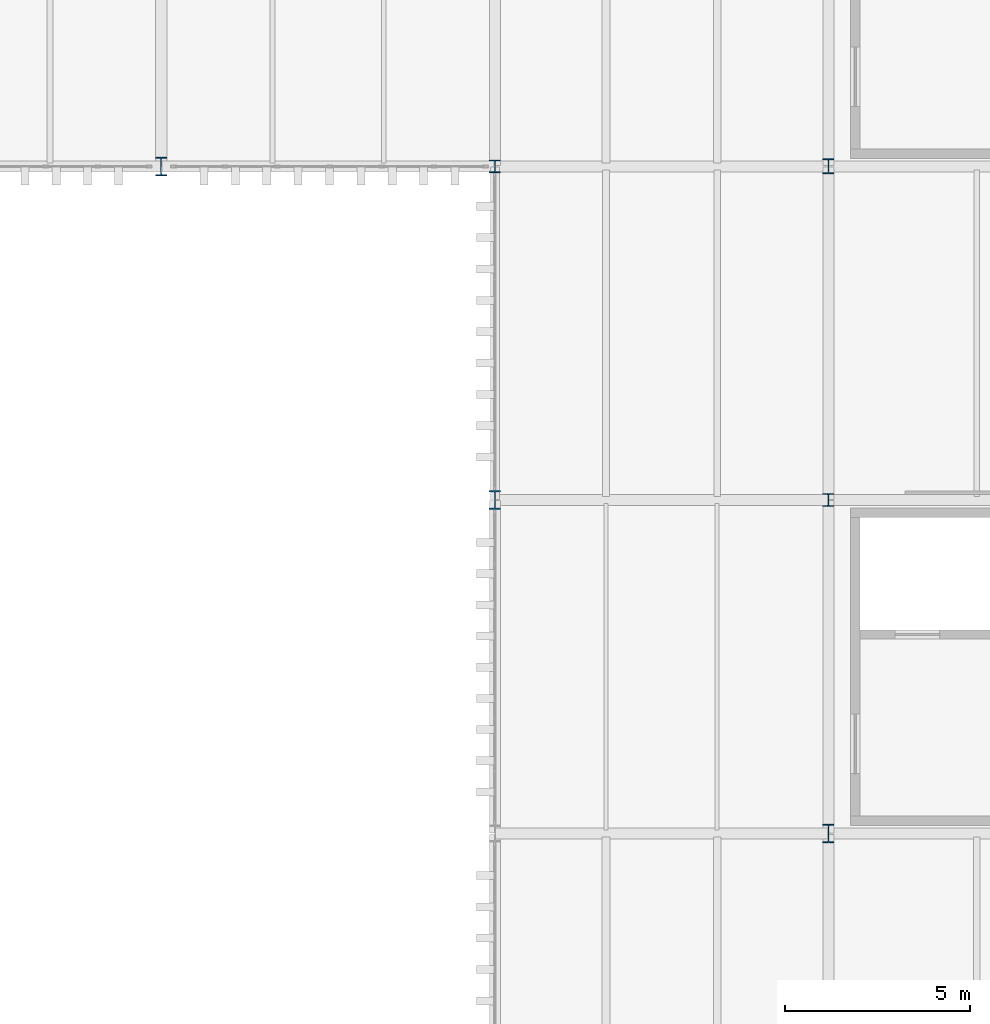
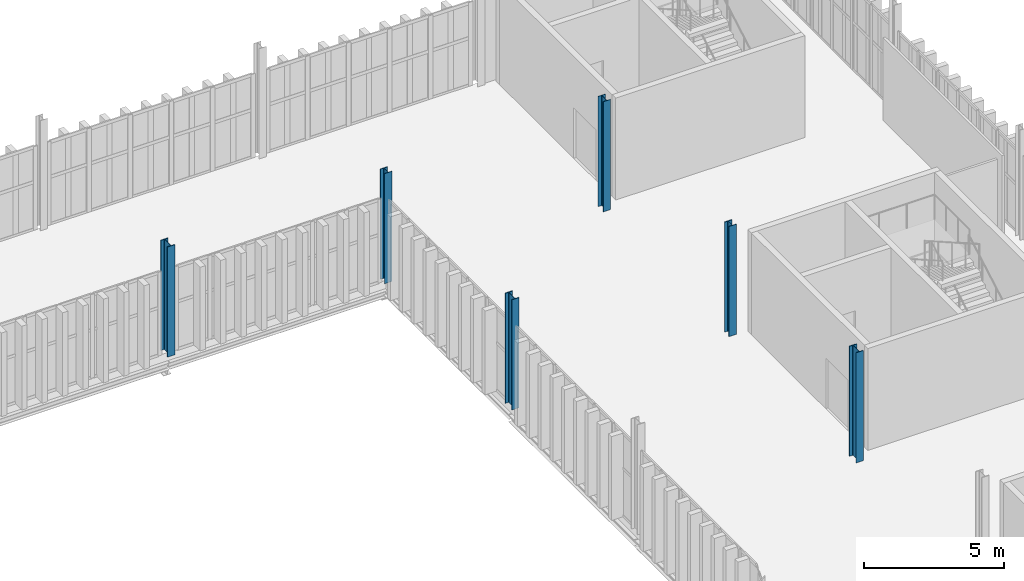
# One storey, part 14 of 196: 6 columns.
"""IFC4 building model written with IfcOpenShell, lengths in metres."""

from ifc_helpers import new_model, si_unit, direction, frame, origin, origin_2d, place, context, subcontext, project, spatial, i_section, extrude, material, material_profile, profile_set, type_object, element, save


model = new_model("IFC4")

# Units and contexts
model_context = context("Model", 3, precision=1e-05, world=origin(), true_north=direction((0.0, 1.0)))
body_context = subcontext(model_context, "Body", "Model", "MODEL_VIEW")
ifc_project = project(units=[si_unit("LENGTHUNIT", "METRE"), si_unit("AREAUNIT", "SQUARE_METRE"), si_unit("VOLUMEUNIT", "CUBIC_METRE"), si_unit("PLANEANGLEUNIT", "RADIAN"), si_unit("MASSUNIT", "GRAM", prefix="KILO")], contexts=[model_context])

# Site, building, storey
site_placement = place(None, origin())
site = spatial("IfcSite", under=ifc_project, at=site_placement, CompositionType="ELEMENT")
building_placement = place(site_placement, origin())
building = spatial("IfcBuilding", under=site, at=building_placement, Name="Barlavento Convention Centre", CompositionType="ELEMENT")
storey_placement = place(building_placement, frame((0.0, 0.0, 18.0)))
storey = spatial("IfcBuildingStorey", under=building, at=storey_placement, Name="L03", CompositionType="ELEMENT", Elevation=18.0)

# Columns
ifc_material = material(Name="Steel S355", Category="steel")
ifc_material_profile_1 = material_profile(ifc_material, i_section(OverallWidth=0.300048828125, OverallDepth=0.340087890625, WebThickness=0.011962890625, FlangeThickness=0.021484375, FilletRadius=0.027099609375, at=origin_2d()), Name="HEB 340")
ifc_profile_set_1 = profile_set([ifc_material_profile_1], Name="Steel S355")
column_type_1 = type_object("IfcColumnType", Name="STR-COL-HEB340", PredefinedType="COLUMN", material=ifc_profile_set_1)
for number, where, z_axis, x_axis, name in (
    (1, (171.0, 90.0, 0.0), (0.0, 0.0, 1.0), (1.0, 0.0, 0.0), "L03 column SC12"),
    (2, (180.0, 81.0, 0.0), (0.0, 0.0, 1.0), (1.0, 0.0, 0.0), "L03 column SC12"),
):
    element("IfcColumn", number, at=place(storey_placement, frame(where, z_axis=z_axis, x_axis=x_axis)), inside=storey, type_object=column_type_1, Name=name, PredefinedType="COLUMN", context=body_context, shape_type="SweptSolid", body=[
        extrude(i_section(OverallWidth=0.300048828125, OverallDepth=0.340087890625, WebThickness=0.011962890625, FlangeThickness=0.021484375, FilletRadius=0.027099609375, at=origin_2d()), origin(), (0.0, 0.0, 1.0), 4.800048828125),
    ])
ifc_material_profile_2 = material_profile(ifc_material, i_section(OverallWidth=0.300048828125, OverallDepth=0.39990234375, WebThickness=0.013427734375, FlangeThickness=0.02392578125, FilletRadius=0.027099609375, at=origin_2d()), Name="HEB 400")
ifc_profile_set_2 = profile_set([ifc_material_profile_2], Name="Steel S355")
column_type_2 = type_object("IfcColumnType", Name="STR-COL-HEB400", PredefinedType="COLUMN", material=ifc_profile_set_2)
column_placement = place(storey_placement, frame((180.0, 90.0, 0.0), z_axis=(0.0, 0.0, 1.0), x_axis=(1.0, 0.0, 0.0)))
element("IfcColumn", 3, at=column_placement, inside=storey, type_object=column_type_2, Name="L03 column SC11", PredefinedType="COLUMN", context=body_context, shape_type="SweptSolid", body=[
    extrude(i_section(OverallWidth=0.300048828125, OverallDepth=0.39990234375, WebThickness=0.013427734375, FlangeThickness=0.02392578125, FilletRadius=0.027099609375, at=origin_2d()), origin(), (0.0, 0.0, 1.0), 4.800048828125),
])
ifc_material_profile_3 = material_profile(ifc_material, i_section(OverallWidth=0.300048828125, OverallDepth=0.5, WebThickness=0.014404296875, FlangeThickness=0.028076171875, FilletRadius=0.027099609375, at=origin_2d()), Name="HEB 500")
ifc_profile_set_3 = profile_set([ifc_material_profile_3], Name="Steel S355")
column_type_3 = type_object("IfcColumnType", Name="STR-COL-HEB500", PredefinedType="COLUMN", material=ifc_profile_set_3)
for number, where, z_axis, x_axis, name in (
    (4, (162.0, 90.0, 0.0), (0.0, 0.0, 1.0), (1.0, 0.0, 0.0), "L03 column SC09"),
    (5, (171.0, 81.0, 0.0), (0.0, 0.0, 1.0), (1.0, 0.0, 0.0), "L03 column SC09"),
    (6, (180.0, 72.0, 0.0), (0.0, 0.0, 1.0), (1.0, 0.0, 0.0), "L03 column SC09"),
):
    element("IfcColumn", number, at=place(storey_placement, frame(where, z_axis=z_axis, x_axis=x_axis)), inside=storey, type_object=column_type_3, Name=name, PredefinedType="COLUMN", context=body_context, shape_type="SweptSolid", body=[
        extrude(i_section(OverallWidth=0.300048828125, OverallDepth=0.5, WebThickness=0.014404296875, FlangeThickness=0.028076171875, FilletRadius=0.027099609375, at=origin_2d()), origin(), (0.0, 0.0, 1.0), 4.800048828125),
    ])

save(model, "model.ifc")
